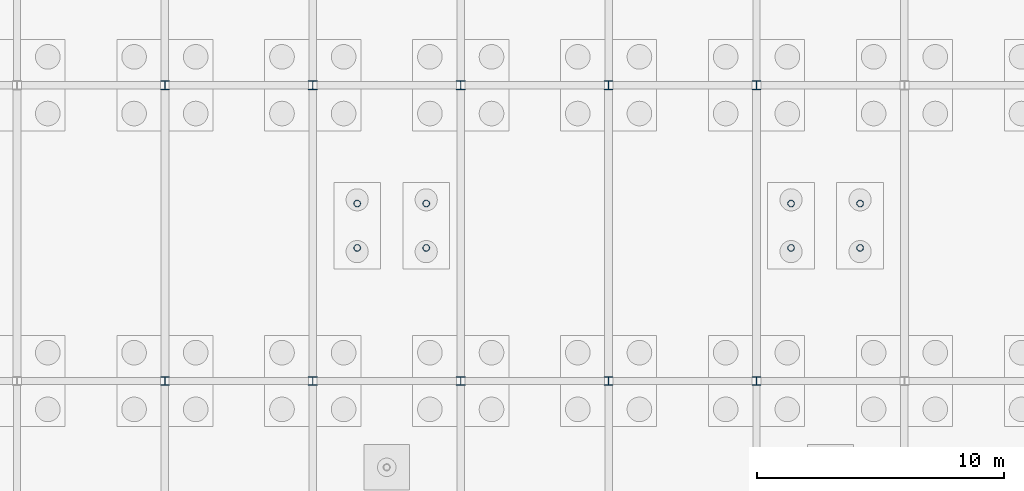
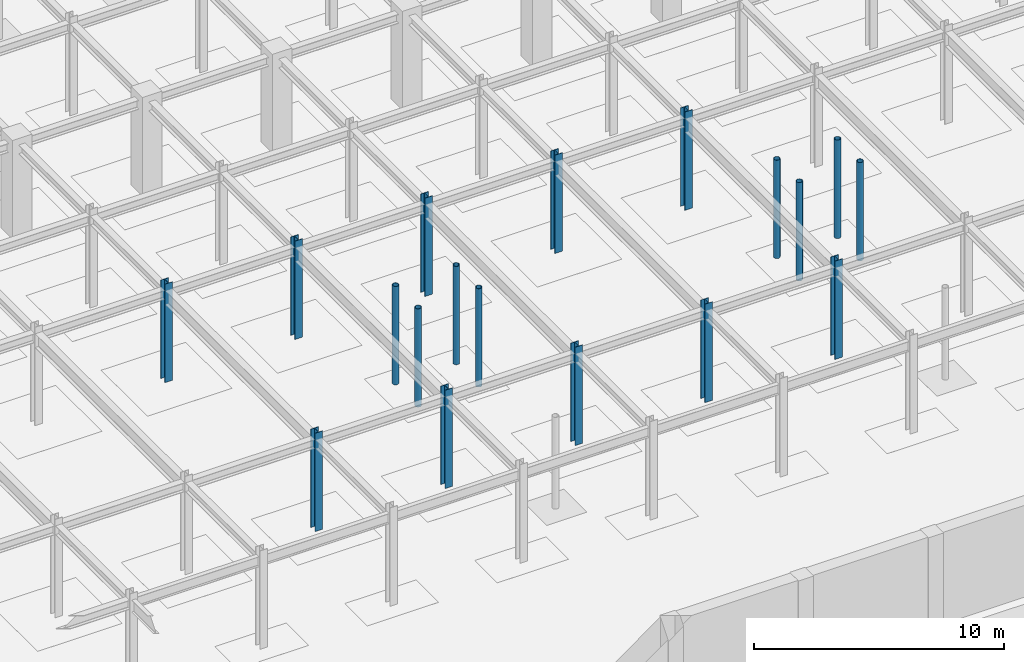
# One storey, part 17 of 69: 18 columns.
"""IFC4 building model written with IfcOpenShell, lengths in metres."""

from ifc_helpers import new_model, si_unit, direction, frame, origin, origin_2d, place, context, subcontext, project, spatial, hollow_circle, i_section, extrude, material, material_profile, profile_set, type_object, element, save


model = new_model("IFC4")

# Units and contexts
model_context = context("Model", 3, precision=1e-05, world=origin(), true_north=direction((0.0, 1.0)))
body_context = subcontext(model_context, "Body", "Model", "MODEL_VIEW")
ifc_project = project(units=[si_unit("LENGTHUNIT", "METRE"), si_unit("AREAUNIT", "SQUARE_METRE"), si_unit("VOLUMEUNIT", "CUBIC_METRE"), si_unit("PLANEANGLEUNIT", "RADIAN"), si_unit("MASSUNIT", "GRAM", prefix="KILO")], contexts=[model_context])

# Site, building, storey
site_placement = place(None, origin())
site = spatial("IfcSite", under=ifc_project, at=site_placement, CompositionType="ELEMENT")
building_placement = place(site_placement, origin())
building = spatial("IfcBuilding", under=site, at=building_placement, Name="Zlatovratsky Civic Hall", CompositionType="ELEMENT")
storey_placement = place(building_placement, frame((0.0, 0.0, -4.800048828125)))
storey = spatial("IfcBuildingStorey", under=building, at=storey_placement, Name="B1", CompositionType="ELEMENT", Elevation=-4.800048828125)

# Columns
ifc_material = material(Name="Steel S355", Category="steel")
ifc_material_profile_1 = material_profile(ifc_material, hollow_circle(Radius=0.136474609375, WallThickness=0.010009765625, at=origin_2d()), Name="CHS 273x10")
ifc_profile_set_1 = profile_set([ifc_material_profile_1], Name="Steel S355")
column_type_1 = type_object("IfcColumnType", Name="Col_Portico_CHS273", PredefinedType="COLUMN", material=ifc_profile_set_1)
for number, where, z_axis, x_axis, name in (
    (1, (73.800048828125, 23.39990234375, 0.0), (0.0, 0.0, 1.0), (1.0, 0.0, 0.0), "CL-2747"),
    (2, (73.800048828125, 25.199951171875, 0.0), (0.0, 0.0, 1.0), (1.0, 0.0, 0.0), "CL-2748"),
    (3, (76.60009765625, 23.39990234375, 0.0), (0.0, 0.0, 1.0), (1.0, 0.0, 0.0), "CL-2749"),
    (4, (76.60009765625, 25.199951171875, 0.0), (0.0, 0.0, 1.0), (1.0, 0.0, 0.0), "CL-2750"),
    (5, (91.39990234375, 23.39990234375, 0.0), (0.0, 0.0, 1.0), (1.0, 0.0, 0.0), "CL-2751"),
    (6, (91.39990234375, 25.199951171875, 0.0), (0.0, 0.0, 1.0), (1.0, 0.0, 0.0), "CL-2752"),
    (7, (94.199951171875, 23.39990234375, 0.0), (0.0, 0.0, 1.0), (1.0, 0.0, 0.0), "CL-2753"),
    (8, (94.199951171875, 25.199951171875, 0.0), (0.0, 0.0, 1.0), (1.0, 0.0, 0.0), "CL-2754"),
):
    element("IfcColumn", number, at=place(storey_placement, frame(where, z_axis=z_axis, x_axis=x_axis)), inside=storey, type_object=column_type_1, Name=name, PredefinedType="COLUMN", context=body_context, shape_type="SweptSolid", body=[
        extrude(hollow_circle(Radius=0.136474609375, WallThickness=0.010009765625, at=origin_2d()), origin(), (0.0, 0.0, 1.0), 4.800048828125),
    ])
ifc_material_profile_2 = material_profile(ifc_material, i_section(OverallWidth=0.35009765625, OverallDepth=0.35009765625, WebThickness=0.011962890625, FlangeThickness=0.01904296875, FilletRadius=0.02001953125, at=origin_2d()), Name="35K2")
ifc_profile_set_2 = profile_set([ifc_material_profile_2], Name="Steel S355")
column_type_2 = type_object("IfcColumnType", Name="Col_Steel_35K2", PredefinedType="COLUMN", material=ifc_profile_set_2)
for number, where, z_axis, x_axis, name in (
    (9, (66.0, 18.0, 0.0), (0.0, 0.0, 1.0), (1.0, 0.0, 0.0), "CL-0057"),
    (10, (72.0, 18.0, 0.0), (0.0, 0.0, 1.0), (1.0, 0.0, 0.0), "CL-0058"),
    (11, (78.0, 18.0, 0.0), (0.0, 0.0, 1.0), (1.0, 0.0, 0.0), "CL-0059"),
    (12, (84.0, 18.0, 0.0), (0.0, 0.0, 1.0), (1.0, 0.0, 0.0), "CL-0060"),
    (13, (90.0, 18.0, 0.0), (0.0, 0.0, 1.0), (1.0, 0.0, 0.0), "CL-0061"),
    (14, (66.0, 30.0, 0.0), (0.0, 0.0, 1.0), (1.0, 0.0, 0.0), "CL-0080"),
    (15, (72.0, 30.0, 0.0), (0.0, 0.0, 1.0), (1.0, 0.0, 0.0), "CL-0081"),
    (16, (78.0, 30.0, 0.0), (0.0, 0.0, 1.0), (1.0, 0.0, 0.0), "CL-0082"),
    (17, (84.0, 30.0, 0.0), (0.0, 0.0, 1.0), (1.0, 0.0, 0.0), "CL-0083"),
    (18, (90.0, 30.0, 0.0), (0.0, 0.0, 1.0), (1.0, 0.0, 0.0), "CL-0084"),
):
    element("IfcColumn", number, at=place(storey_placement, frame(where, z_axis=z_axis, x_axis=x_axis)), inside=storey, type_object=column_type_2, Name=name, PredefinedType="COLUMN", context=body_context, shape_type="SweptSolid", body=[
        extrude(i_section(OverallWidth=0.35009765625, OverallDepth=0.35009765625, WebThickness=0.011962890625, FlangeThickness=0.01904296875, FilletRadius=0.02001953125, at=origin_2d()), origin(), (0.0, 0.0, 1.0), 4.800048828125),
    ])

save(model, "model.ifc")
